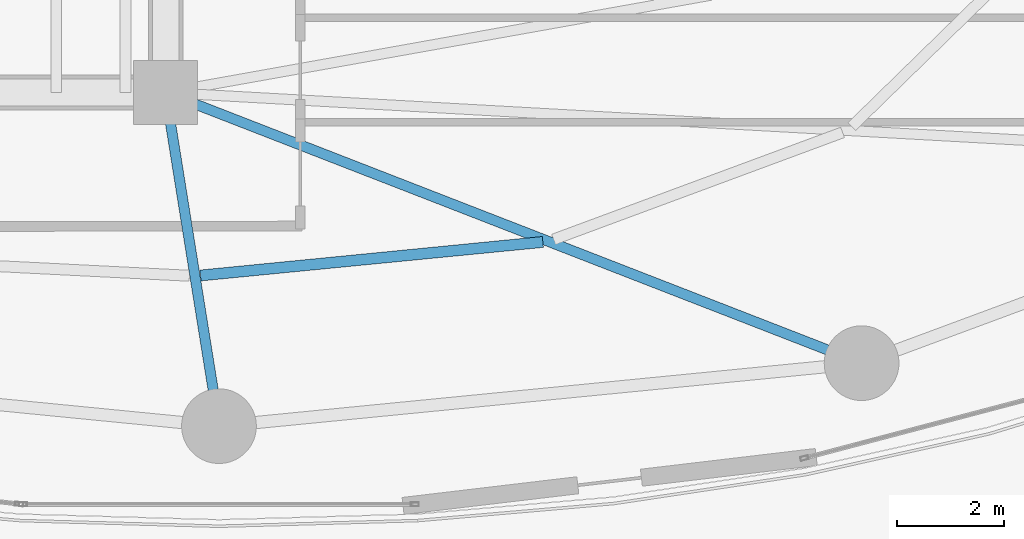
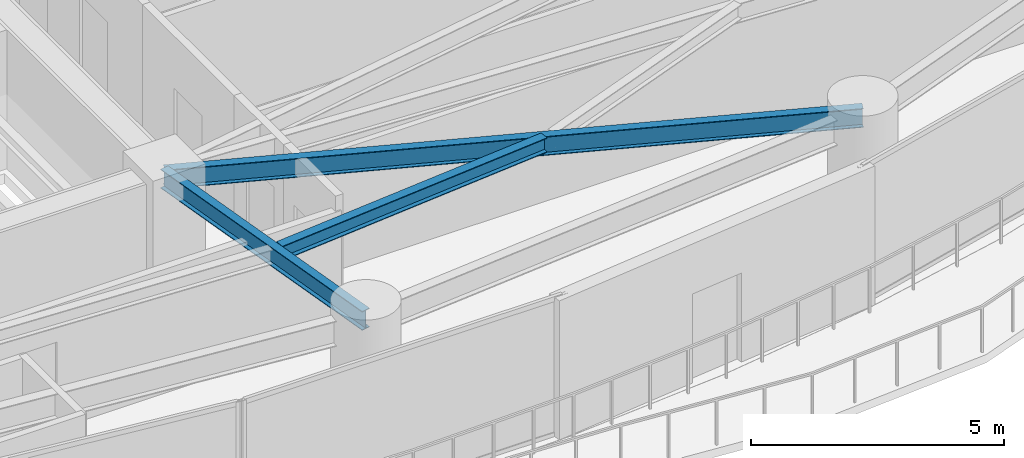
# One storey, part 11 of 30: 3 beams.
"""IFC4 building model written with IfcOpenShell, lengths in metres."""

import ifcopenshell
import ifcopenshell.guid

model = None  # the IFC model being written
_history = None  # IfcOwnerHistory: only IFC2X3 demands one
_inside = {}  # id of a spatial element -> (the spatial element, [elements in it])
_under = {}  # id of a project, library or spatial element -> (it, [spatial elements below it])
_declared = {}  # id of a project -> (the project, [libraries it declares])
_typed = {}  # id of a type object -> (the type object, [elements of that type])
_made_of = {}  # id of a material, layer set ... -> (it, [elements and type objects made of it])


def new_model(schema):
    """Start an empty IFC model of exactly this schema.

    Asked for "IFC4X3", IfcOpenShell would pick the latest addendum, in which some entities
    have other attributes; the version numbers below select the first issue.
    IFC2X3 requires an IfcOwnerHistory on every rooted entity: one is made here for all.
    """
    global model, _history
    if schema == "IFC4X3":
        model = ifcopenshell.file(schema_version=(4, 3, 0, 0))
    else:
        model = ifcopenshell.file(schema=schema)
    _inside.clear()
    _under.clear()
    _declared.clear()
    _typed.clear()
    _made_of.clear()
    _history = None
    if model.schema == "IFC2X3":
        org = make("IfcOrganization", Name="unknown")
        user = make(
            "IfcPersonAndOrganization",
            ThePerson=make("IfcPerson", FamilyName="unknown"),
            TheOrganization=org,
        )
        app = make(
            "IfcApplication",
            ApplicationDeveloper=org,
            Version="unknown",
            ApplicationFullName="unknown",
            ApplicationIdentifier="unknown",
        )
        _history = make(
            "IfcOwnerHistory",
            OwningUser=user,
            OwningApplication=app,
            ChangeAction="ADDED",
            CreationDate=0,
        )
    return model


def make(cls, **values):
    """One entity of the class cls with the attributes given. An attribute that is None is left unset."""
    return model.create_entity(
        cls, **{name: value for name, value in values.items() if value is not None}
    )


def rooted(cls, **values):
    """An entity with a GlobalId (a new one), such as an element, a storey or a relation."""
    return make(cls, GlobalId=ifcopenshell.guid.new(), OwnerHistory=_history, **values)


def si_unit(unit_type, name, prefix=None):
    """IfcSIUnit, for example si_unit("LENGTHUNIT", "METRE", prefix="MILLI")."""
    return make("IfcSIUnit", UnitType=unit_type, Prefix=prefix, Name=name)


def assignment(units):
    """IfcUnitAssignment: the units of a project."""
    return None if units is None else make("IfcUnitAssignment", Units=units)


def point(xyz):
    """IfcCartesianPoint."""
    return None if xyz is None else make("IfcCartesianPoint", Coordinates=xyz)


def direction(xyz):
    """IfcDirection."""
    return None if xyz is None else make("IfcDirection", DirectionRatios=xyz)


def frame(location, z_axis=None, x_axis=None):
    """IfcAxis2Placement3D, a coordinate frame: its origin and axes. An axis left out is left unset."""
    return make(
        "IfcAxis2Placement3D",
        Location=point(location),
        Axis=direction(z_axis),
        RefDirection=direction(x_axis),
    )


def frame_2d(location, x_axis=None):
    """IfcAxis2Placement2D, a coordinate frame in the plane: its origin and x axis."""
    return make(
        "IfcAxis2Placement2D", Location=point(location), RefDirection=direction(x_axis)
    )


def origin():
    """The frame at (0, 0, 0) with its axes left unset."""
    return frame((0.0, 0.0, 0.0))


def origin_2d():
    """The frame at (0, 0) in the plane with its x axis left unset."""
    return frame_2d((0.0, 0.0))


def place(relative_to, where):
    """IfcLocalPlacement: puts the frame where relative to a parent placement (None: the world)."""
    return make(
        "IfcLocalPlacement", PlacementRelTo=relative_to, RelativePlacement=where
    )


def context(
    kind, dimensions, precision=None, world=None, true_north=None, identifier=None
):
    """IfcGeometricRepresentationContext, for example the 3D "Model" context."""
    return make(
        "IfcGeometricRepresentationContext",
        ContextIdentifier=identifier,
        ContextType=kind,
        CoordinateSpaceDimension=dimensions,
        Precision=precision,
        WorldCoordinateSystem=world,
        TrueNorth=true_north,
    )


def subcontext(parent, identifier, kind, view, scale=None):
    """IfcGeometricRepresentationSubContext, for example "Body" below "Model"."""
    return make(
        "IfcGeometricRepresentationSubContext",
        ContextIdentifier=identifier,
        ContextType=kind,
        ParentContext=parent,
        TargetScale=scale,
        TargetView=view,
    )


def project(units=None, contexts=None):
    """IfcProject with its units and contexts."""
    return rooted(
        "IfcProject",
        Name="project",
        RepresentationContexts=contexts,
        UnitsInContext=assignment(units),
    )


def spatial(cls, under=None, at=None, **own):
    """A site, building, storey or space (cls), placed at a placement, below another one or the project."""
    s = rooted(cls, ObjectPlacement=at, **own)
    if under is not None:
        _under.setdefault(under.id(), (under, []))[1].append(s)
    return s


def profile(cls, at=None, kind="AREA", **sizes):
    """A parametric profile (cls). Its sizes go by their IFC names, for example OverallWidth=200.0."""
    return make(cls, ProfileType=kind, Position=at, **sizes)


def i_section(**sizes):
    """IfcIShapeProfileDef."""
    return profile("IfcIShapeProfileDef", **sizes)


def extrude(swept, where, along, depth):
    """IfcExtrudedAreaSolid: the profile swept, set in the frame where, extruded along a direction by depth."""
    return make(
        "IfcExtrudedAreaSolid",
        SweptArea=swept,
        Position=where,
        ExtrudedDirection=direction(along),
        Depth=depth,
    )


def shape(context_of_items, identifier, shape_type, items):
    """IfcShapeRepresentation: the items that make up one representation, for example the "Body"."""
    return make(
        "IfcShapeRepresentation",
        ContextOfItems=context_of_items,
        RepresentationIdentifier=identifier,
        RepresentationType=shape_type,
        Items=items,
    )


def material(Name=None, Category=None):
    """IfcMaterial."""
    return make("IfcMaterial", Name=Name, Category=Category)


def material_profile(
    of_material, cross_section, Name=None, Category=None, Priority=None
):
    """IfcMaterialProfile: a cross section and its material."""
    return make(
        "IfcMaterialProfile",
        Name=Name,
        Material=of_material,
        Profile=cross_section,
        Priority=Priority,
        Category=Category,
    )


def profile_set(profiles, Name=None, composite=None):
    """IfcMaterialProfileSet."""
    return make(
        "IfcMaterialProfileSet",
        Name=Name,
        MaterialProfiles=profiles,
        CompositeProfile=composite,
    )


def made_of(thing, what):
    """Note that an element or type object is made of a material, layer set ...; save() writes the relation."""
    if what is not None:
        _made_of.setdefault(what.id(), (what, []))[1].append(thing)
    return thing


def type_object(cls, material=None, **own):
    """A type object (cls), such as IfcWallType, which elements share."""
    return made_of(rooted(cls, **own), material)


def element(
    cls,
    number,
    at=None,
    inside=None,
    cuts=None,
    type_object=None,
    material=None,
    context=None,
    identifier="Body",
    shape_type=None,
    held_by="IfcProductDefinitionShape",
    body=None,
    shapes=None,
    **own,
):
    """One element of the class cls, such as IfcWall. Its Tag is "e" and its number.

    at: its placement. inside: the storey or other place that contains it. cuts: it is an
    opening in that element (IfcRelVoidsElement). A single representation is given by context,
    identifier, shape_type and body (its items); several are given by shapes. held_by: the class
    of the entity that holds the representations. save() writes the other relations.
    """
    e = rooted(cls, Tag="e%d" % number, ObjectPlacement=at, **own)
    if body is not None:
        shapes = [shape(context, identifier, shape_type, body)]
    if shapes is not None:
        e.Representation = make(held_by, Representations=shapes)
    if inside is not None:
        _inside.setdefault(inside.id(), (inside, []))[1].append(e)
    if cuts is not None:
        rooted(
            "IfcRelVoidsElement", RelatingBuildingElement=cuts, RelatedOpeningElement=e
        )
    if type_object is not None:
        _typed.setdefault(type_object.id(), (type_object, []))[1].append(e)
    return made_of(e, material)


def aggregate(whole, parts):
    """IfcRelAggregates: a whole, such as a stair, and the parts it consists of."""
    return rooted("IfcRelAggregates", RelatingObject=whole, RelatedObjects=parts)


def save(model, path):
    """Write the relations noted so far, then the file.

    IfcRelAggregates (storeys below a building ...), IfcRelContainedInSpatialStructure (elements
    in a storey), IfcRelDefinesByType, IfcRelAssociatesMaterial and IfcRelDeclares: one each for
    every whole, place, type object, material and project.
    """
    for whole, parts in _under.values():
        aggregate(whole, parts)
    for where, things in _inside.values():
        rooted(
            "IfcRelContainedInSpatialStructure",
            RelatedElements=things,
            RelatingStructure=where,
        )
    for kind, things in _typed.values():
        rooted("IfcRelDefinesByType", RelatedObjects=things, RelatingType=kind)
    for what, things in _made_of.values():
        rooted("IfcRelAssociatesMaterial", RelatedObjects=things, RelatingMaterial=what)
    for by, libraries in _declared.values():
        rooted("IfcRelDeclares", RelatingContext=by, RelatedDefinitions=libraries)
    model.write(path)


model = new_model("IFC4")

# Units and contexts
model_context = context("Model", 3, precision=1e-05, world=origin(), true_north=direction((0.0, 1.0)))
body_context = subcontext(model_context, "Body", "Model", "MODEL_VIEW")
ifc_project = project(units=[si_unit("LENGTHUNIT", "METRE"), si_unit("AREAUNIT", "SQUARE_METRE"), si_unit("VOLUMEUNIT", "CUBIC_METRE"), si_unit("PLANEANGLEUNIT", "RADIAN"), si_unit("MASSUNIT", "GRAM", prefix="KILO")], contexts=[model_context])

# Site, building, storey
site_placement = place(None, origin())
site = spatial("IfcSite", under=ifc_project, at=site_placement, CompositionType="ELEMENT")
building_placement = place(site_placement, origin())
building = spatial("IfcBuilding", under=site, at=building_placement, Name="Kazevale Care Tower and Concert Hall", CompositionType="ELEMENT")
storey_placement = place(building_placement, frame((0.0, 0.0, 74.39990234375)))
storey = spatial("IfcBuildingStorey", under=building, at=storey_placement, Name="L19", CompositionType="ELEMENT", Elevation=74.39990234375)

# Beams
ifc_material = material(Name="Steel ASTM A572 Gr 50", Category="steel")
ifc_material_profile_1 = material_profile(ifc_material, i_section(OverallWidth=0.19091796875, OverallDepth=0.4599609375, WebThickness=0.010009765625, FlangeThickness=0.01611328125, at=origin_2d()), Name="W460x82")
ifc_profile_set_1 = profile_set([ifc_material_profile_1], Name="Steel ASTM A572 Gr 50")
beam_type_1 = type_object("IfcBeamType", Name="Radial Floor Beam W460x82", PredefinedType="BEAM", material=ifc_profile_set_1)
beam_1_placement = place(storey_placement, frame((44.0, 23.60009765625, 3.130126953125), z_axis=(0.157990501107, -0.987440631917, 0.0), x_axis=(0.987440631917, 0.157990501107, 0.0)))
element("IfcBeam", 1, at=beam_1_placement, inside=storey, type_object=beam_type_1, Name="beam:L19:rad:13", PredefinedType="BEAM", context=body_context, shape_type="SweptSolid", body=[
    extrude(i_section(OverallWidth=0.19091796875, OverallDepth=0.4599609375, WebThickness=0.010009765625, FlangeThickness=0.01611328125, at=origin_2d()), origin(), (0.0, 0.0, 1.0), 6.32958984375),
])
beam_2_placement = place(storey_placement, frame((44.0, 23.60009765625, 3.130126953125), z_axis=(0.932030212407, -0.362380577792, 0.0), x_axis=(0.362380577792, 0.932030212407, 0.0)))
element("IfcBeam", 2, at=beam_2_placement, inside=storey, type_object=beam_type_1, Name="beam:L19:rad:14", PredefinedType="BEAM", context=body_context, shape_type="SweptSolid", body=[
    extrude(i_section(OverallWidth=0.19091796875, OverallDepth=0.4599609375, WebThickness=0.010009765625, FlangeThickness=0.01611328125, at=origin_2d()), origin(), (0.0, 0.0, 1.0), 13.990966796875),
])
ifc_material_profile_2 = material_profile(ifc_material, i_section(OverallWidth=0.205078125, OverallDepth=0.35400390625, WebThickness=0.009521484375, FlangeThickness=0.016845703125, at=origin_2d()), Name="W360x79")
ifc_profile_set_2 = profile_set([ifc_material_profile_2], Name="Steel ASTM A572 Gr 50")
beam_type_2 = type_object("IfcBeamType", Name="Secondary Floor Joist W360x79", PredefinedType="JOIST", material=ifc_profile_set_2)
beam_3_placement = place(storey_placement, frame((44.654052734375, 20.173095703125, 3.18310546875), z_axis=(0.995242075791, 0.097433108212, 0.0), x_axis=(-0.097433108212, 0.995242075791, 0.0)))
element("IfcBeam", 3, at=beam_3_placement, inside=storey, type_object=beam_type_2, Name="beam:L19:joist:13", PredefinedType="JOIST", context=body_context, shape_type="SweptSolid", body=[
    extrude(i_section(OverallWidth=0.205078125, OverallDepth=0.35400390625, WebThickness=0.009521484375, FlangeThickness=0.016845703125, at=origin_2d()), origin(), (0.0, 0.0, 1.0), 6.44482421875),
])

save(model, "model.ifc")
